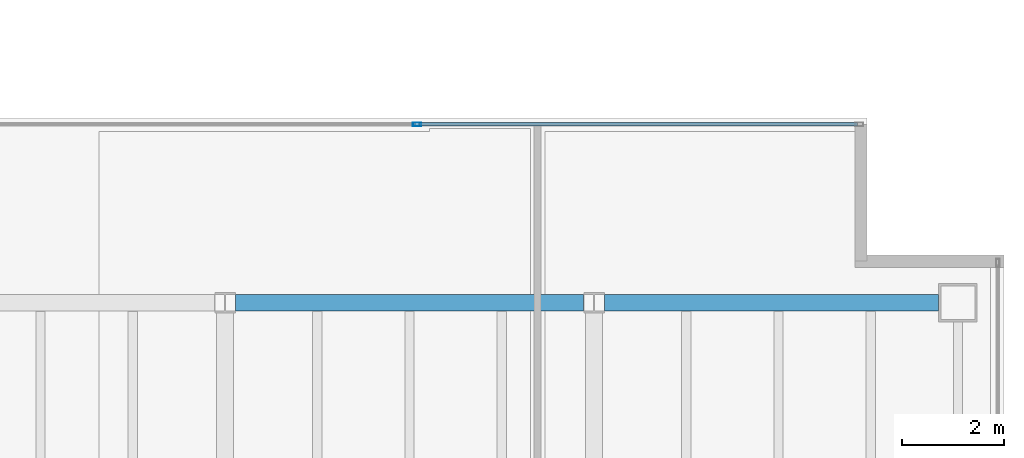
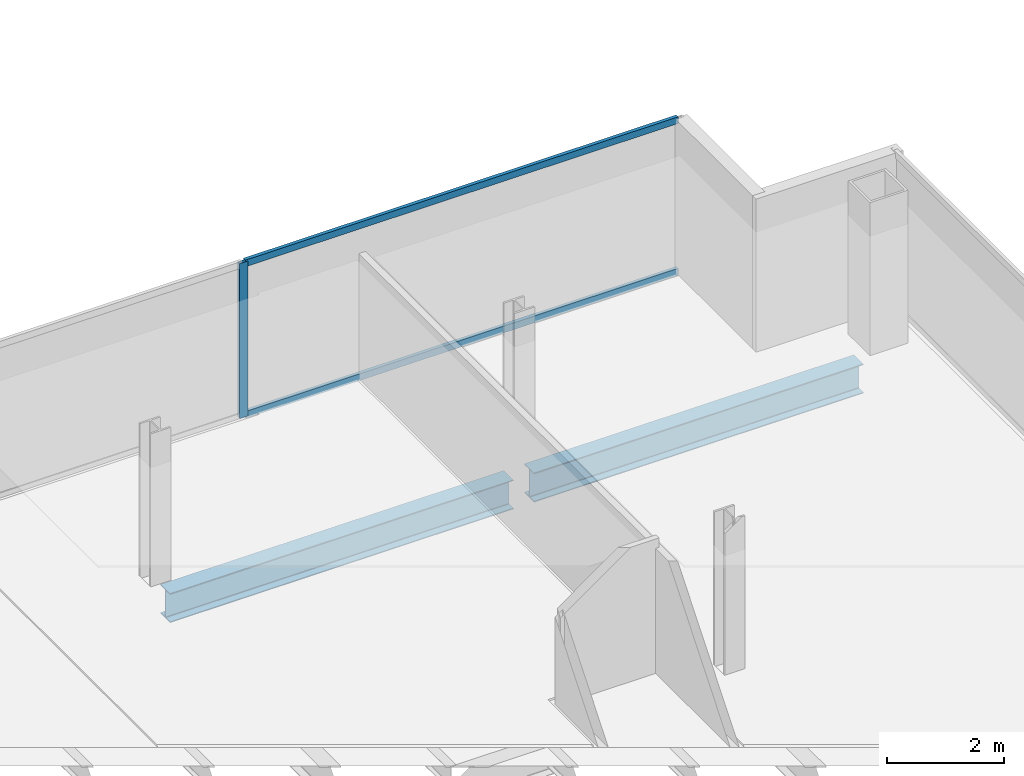
# One storey, part 15 of 23: 3 members, 2 beams, 1 element without a shape of its own.
"""IFC4 building model written with IfcOpenShell, lengths in metres."""

from ifc_helpers import new_model, si_unit, direction, frame, origin, origin_2d, place, context, subcontext, project, spatial, hollow_rectangle, i_section, extrude, material, material_profile, profile_set, type_object, element, aggregate, save


model = new_model("IFC4")

# Units and contexts
model_context = context("Model", 3, precision=1e-05, world=origin(), true_north=direction((0.0, 1.0)))
body_context = subcontext(model_context, "Body", "Model", "MODEL_VIEW")
ifc_project = project(units=[si_unit("LENGTHUNIT", "METRE"), si_unit("AREAUNIT", "SQUARE_METRE"), si_unit("VOLUMEUNIT", "CUBIC_METRE"), si_unit("PLANEANGLEUNIT", "RADIAN"), si_unit("MASSUNIT", "GRAM", prefix="KILO")], contexts=[model_context])

# Site, building, storey
site_placement = place(None, origin())
site = spatial("IfcSite", under=ifc_project, at=site_placement, CompositionType="ELEMENT")
building_placement = place(site_placement, origin())
building = spatial("IfcBuilding", under=site, at=building_placement, Name="Cobrela Telecom Tower", CompositionType="ELEMENT")
storey_placement = place(building_placement, frame((0.0, 0.0, 218.75)))
storey = spatial("IfcBuildingStorey", under=building, at=storey_placement, Name="L56", CompositionType="ELEMENT", Elevation=218.75)

# Beams
ifc_material_1 = material(Name="Steel ASTM A992 Grade 50", Category="steel")
ifc_material_profile_1 = material_profile(ifc_material_1, i_section(OverallWidth=0.324951171875, OverallDepth=0.612060546875, WebThickness=0.0126953125, FlangeThickness=0.01904296875, FilletRadius=0.014892578125, at=origin_2d()), Name="W24X104")
ifc_profile_set_1 = profile_set([ifc_material_profile_1], Name="Steel ASTM A992 Grade 50")
beam_type = type_object("IfcBeamType", Name="BM-GIRD-07", PredefinedType="USERDEFINED", material=ifc_profile_set_1)
beam_1_placement = place(storey_placement, frame((29.00439453125, 21.60009765625, -0.56591796875), z_axis=(1.0, 0.0, 0.0), x_axis=(0.0, 1.0, 0.0)))
element("IfcBeam", 1, at=beam_1_placement, inside=storey, type_object=beam_type, Name="L56 Primary Girder X17", ObjectType="GIRDER", PredefinedType="USERDEFINED", context=body_context, shape_type="SweptSolid", body=[
    extrude(i_section(OverallWidth=0.324951171875, OverallDepth=0.612060546875, WebThickness=0.0126953125, FlangeThickness=0.01904296875, FilletRadius=0.014892578125, at=origin_2d()), origin(), (0.0, 0.0, 1.0), 6.791015625),
])
beam_2_placement = place(storey_placement, frame((36.20458984375, 21.60009765625, -0.56591796875), z_axis=(1.0, 0.0, 0.0), x_axis=(0.0, 1.0, 0.0)))
element("IfcBeam", 2, at=beam_2_placement, inside=storey, type_object=beam_type, Name="L56 Primary Girder X18", ObjectType="GIRDER", PredefinedType="USERDEFINED", context=body_context, shape_type="SweptSolid", body=[
    extrude(i_section(OverallWidth=0.324951171875, OverallDepth=0.612060546875, WebThickness=0.0126953125, FlangeThickness=0.01904296875, FilletRadius=0.014892578125, at=origin_2d()), origin(), (0.0, 0.0, 1.0), 6.515380859375),
])

# Curtain wall, members
ifc_material_2 = material(Name="Anodized Bronze Aluminium 6063-T6", Category="aluminium")
curtain_wall_type = type_object("IfcCurtainWallType", Name="CW-SYS-OFF-LO", PredefinedType="USERDEFINED", material=ifc_material_2)
curtain_wall_placement = place(storey_placement, origin())
curtain_wall = element("IfcCurtainWall", 3, at=curtain_wall_placement, inside=storey, type_object=curtain_wall_type, Name="L56 Unitised Bronze Curtain Wall 11", ObjectType="UNITISED CURTAIN WALL", PredefinedType="USERDEFINED")
ifc_material_profile_2 = material_profile(ifc_material_2, hollow_rectangle(XDim=0.070068359375, YDim=0.159912109375, WallThickness=0.00390625, at=origin_2d()), Name="ALU 70x160x4")
ifc_profile_set_2 = profile_set([ifc_material_profile_2], Name="Anodized Bronze Aluminium 6063-T6")
member_type_1 = type_object("IfcMemberType", Name="CW-SYS-OFF-LO-MUL", PredefinedType="MULLION", material=ifc_profile_set_2)
member_1_placement = place(storey_placement, frame((32.544921875, 25.080078125, 0.0), z_axis=(0.0, 0.0, 1.0), x_axis=(0.0, 1.0, 0.0)))
member_1 = element("IfcMember", 4, at=member_1_placement, type_object=member_type_1, Name="CW-OFF-LO mullion 2", PredefinedType="MULLION", context=body_context, shape_type="SweptSolid", body=[
    extrude(hollow_rectangle(XDim=0.070068359375, YDim=0.159912109375, WallThickness=0.00390625, at=origin_2d()), origin(), (0.0, 0.0, 1.0), 3.239990234375),
])
ifc_material_profile_3 = material_profile(ifc_material_2, hollow_rectangle(XDim=0.070068359375, YDim=0.139892578125, WallThickness=0.00390625, at=origin_2d()), Name="ALU 70x140x4")
ifc_profile_set_3 = profile_set([ifc_material_profile_3], Name="Anodized Bronze Aluminium 6063-T6")
member_type_2 = type_object("IfcMemberType", Name="CW-SYS-OFF-LO-TRN", PredefinedType="USERDEFINED", material=ifc_profile_set_3)
member_2_placement = place(storey_placement, frame((32.580078125, 25.080078125, 0.034912109375), z_axis=(1.0, 0.0, 0.0), x_axis=(0.0, 1.0, 0.0)))
member_2 = element("IfcMember", 5, at=member_2_placement, type_object=member_type_2, Name="CW-OFF-LO transom 2.1", ObjectType="TRANSOM", PredefinedType="USERDEFINED", context=body_context, shape_type="SweptSolid", body=[
    extrude(hollow_rectangle(XDim=0.070068359375, YDim=0.139892578125, WallThickness=0.00390625, at=origin_2d()), origin(), (0.0, 0.0, 1.0), 8.559814453125),
])
member_3_placement = place(storey_placement, frame((32.580078125, 25.080078125, 3.205078125), z_axis=(1.0, 0.0, 0.0), x_axis=(0.0, 1.0, 0.0)))
member_3 = element("IfcMember", 6, at=member_3_placement, type_object=member_type_2, Name="CW-OFF-LO transom 2.2", ObjectType="TRANSOM", PredefinedType="USERDEFINED", context=body_context, shape_type="SweptSolid", body=[
    extrude(hollow_rectangle(XDim=0.070068359375, YDim=0.139892578125, WallThickness=0.00390625, at=origin_2d()), origin(), (0.0, 0.0, 1.0), 8.559814453125),
])
aggregate(curtain_wall, [member_1, member_2, member_3])

save(model, "model.ifc")
